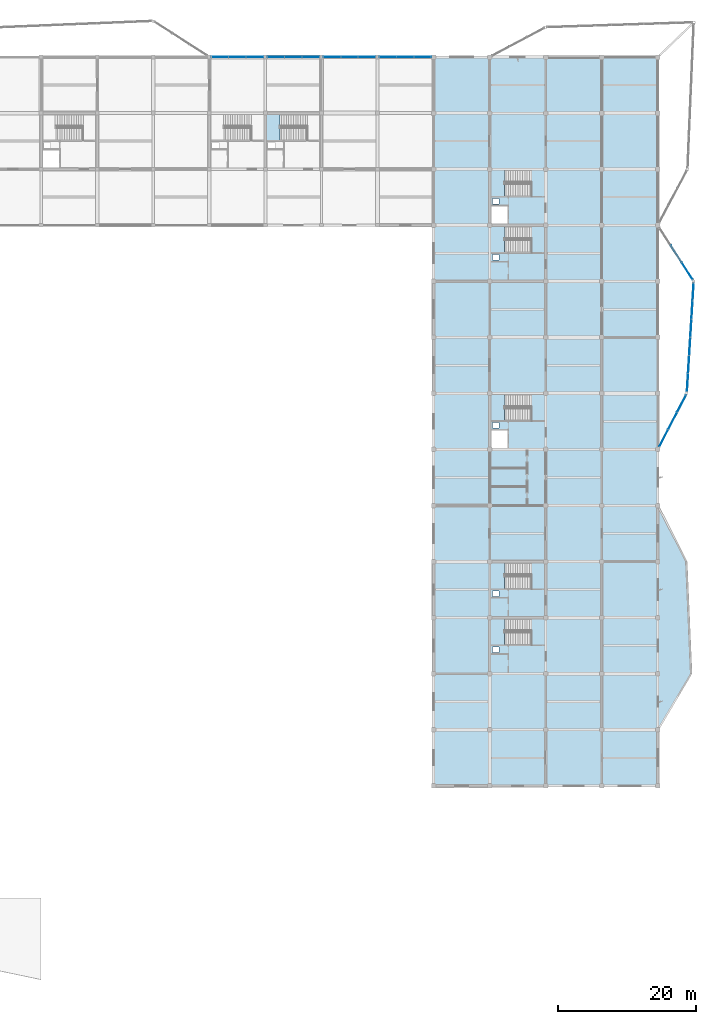
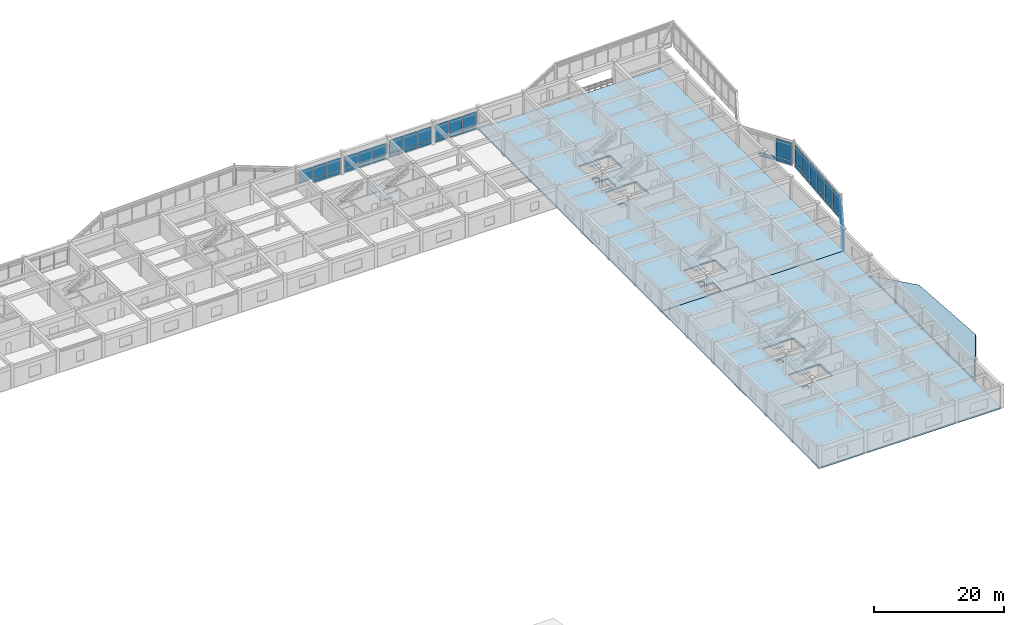
# One storey, part 24 of 42: 44 plates, 9 slabs, 14 elements without a shape of their own.
"""IFC4 building model written with IfcOpenShell, lengths in metres."""

from ifc_helpers import new_model, si_unit, direction, frame, origin, origin_2d, place, context, subcontext, project, spatial, polyline, rectangle, outline, extrude, material, layer, layer_set, type_object, element, aggregate, save


model = new_model("IFC4")

# Units and contexts
model_context = context("Model", 3, precision=1e-05, world=origin(), true_north=direction((0.0, 1.0)))
body_context = subcontext(model_context, "Body", "Model", "MODEL_VIEW")
ifc_project = project(units=[si_unit("LENGTHUNIT", "METRE"), si_unit("AREAUNIT", "SQUARE_METRE"), si_unit("VOLUMEUNIT", "CUBIC_METRE"), si_unit("PLANEANGLEUNIT", "RADIAN"), si_unit("MASSUNIT", "GRAM", prefix="KILO")], contexts=[model_context])

# Site, building, storey
site_placement = place(None, origin())
site = spatial("IfcSite", under=ifc_project, at=site_placement, CompositionType="ELEMENT")
building_placement = place(site_placement, origin())
building = spatial("IfcBuilding", under=site, at=building_placement, Name="Vaudrelin Polytechnic", CompositionType="ELEMENT")
storey_placement = place(building_placement, frame((0.0, 0.0, 18.530029296875)))
storey = spatial("IfcBuildingStorey", under=building, at=storey_placement, Name="L04", CompositionType="ELEMENT", Elevation=18.530029296875)

# Curtain wall, plates
ifc_material_1 = material(Name="Thermally broken anodised aluminium AA 6063-T6 and low-e triple glazing", Category="aluminium")
ifc_layer_1 = layer(ifc_material_1, 0.199951171875)
ifc_layer_set_1 = layer_set([ifc_layer_1], Name="Thermally broken anodised aluminium AA 6063-T6 and low-e triple glazing")
curtain_wall_type_1 = type_object("IfcCurtainWallType", Name="CW-CW-STU", PredefinedType="USERDEFINED", material=ifc_layer_set_1)
curtain_wall_1_placement = place(storey_placement, origin())
curtain_wall_1 = element("IfcCurtainWall", 1, at=curtain_wall_1_placement, inside=storey, type_object=curtain_wall_type_1, Name="Curtain wall L04 N_V5_13", ObjectType="CURTAIN WALL", PredefinedType="USERDEFINED")
ifc_material_2 = material(Name="Diffusing north-light studio glazing panel", Category="glass")
ifc_layer_2 = layer(ifc_material_2, 0.048095703125)
ifc_layer_set_2 = layer_set([ifc_layer_2], Name="Diffusing north-light studio glazing panel")
plate_type_1 = type_object("IfcPlateType", Name="PLT-GLZ-SAW", PredefinedType="CURTAIN_PANEL", material=ifc_layer_set_2)
plate_1_placement = place(storey_placement, frame((106.83203125, 121.5, 0.89990234375), z_axis=(0.0, 0.0, 1.0), x_axis=(1.0, 0.0, 0.0)))
plate_1 = element("IfcPlate", 2, at=plate_1_placement, type_object=plate_type_1, Name="N_V5_13 vision panel 1", PredefinedType="CURTAIN_PANEL", context=body_context, shape_type="SweptSolid", body=[
    extrude(rectangle(XDim=2.41796875, YDim=0.0439453125, at=origin_2d()), origin(), (0.0, 0.0, 1.0), 2.31201171875),
])
plate_2_placement = place(storey_placement, frame((109.35009765625, 121.5, 0.89990234375), z_axis=(0.0, 0.0, 1.0), x_axis=(1.0, 0.0, 0.0)))
plate_2 = element("IfcPlate", 3, at=plate_2_placement, type_object=plate_type_1, Name="N_V5_13 vision panel 2", PredefinedType="CURTAIN_PANEL", context=body_context, shape_type="SweptSolid", body=[
    extrude(rectangle(XDim=2.41796875, YDim=0.0439453125, at=origin_2d()), origin(), (0.0, 0.0, 1.0), 2.31201171875),
])
plate_3_placement = place(storey_placement, frame((111.867919921875, 121.5, 0.89990234375), z_axis=(0.0, 0.0, 1.0), x_axis=(1.0, 0.0, 0.0)))
plate_3 = element("IfcPlate", 4, at=plate_3_placement, type_object=plate_type_1, Name="N_V5_13 vision panel 3", PredefinedType="CURTAIN_PANEL", context=body_context, shape_type="SweptSolid", body=[
    extrude(rectangle(XDim=2.41796875, YDim=0.0439453125, at=origin_2d()), origin(), (0.0, 0.0, 1.0), 2.31201171875),
])

curtain_wall_2_placement = place(storey_placement, origin())
curtain_wall_2 = element("IfcCurtainWall", 5, at=curtain_wall_2_placement, inside=storey, type_object=curtain_wall_type_1, Name="Curtain wall L04 N_V5_14", ObjectType="CURTAIN WALL", PredefinedType="USERDEFINED")
plate_4_placement = place(storey_placement, frame((114.931884765625, 121.5, 0.89990234375), z_axis=(0.0, 0.0, 1.0), x_axis=(1.0, 0.0, 0.0)))
plate_4 = element("IfcPlate", 6, at=plate_4_placement, type_object=plate_type_1, Name="N_V5_14 vision panel 1", PredefinedType="CURTAIN_PANEL", context=body_context, shape_type="SweptSolid", body=[
    extrude(rectangle(XDim=2.41796875, YDim=0.0439453125, at=origin_2d()), origin(), (0.0, 0.0, 1.0), 2.2119140625),
])
plate_5_placement = place(storey_placement, frame((117.449951171875, 121.5, 0.89990234375), z_axis=(0.0, 0.0, 1.0), x_axis=(1.0, 0.0, 0.0)))
plate_5 = element("IfcPlate", 7, at=plate_5_placement, type_object=plate_type_1, Name="N_V5_14 vision panel 2", PredefinedType="CURTAIN_PANEL", context=body_context, shape_type="SweptSolid", body=[
    extrude(rectangle(XDim=2.41796875, YDim=0.0439453125, at=origin_2d()), origin(), (0.0, 0.0, 1.0), 2.2119140625),
])
plate_6_placement = place(storey_placement, frame((119.968017578125, 121.5, 0.89990234375), z_axis=(0.0, 0.0, 1.0), x_axis=(1.0, 0.0, 0.0)))
plate_6 = element("IfcPlate", 8, at=plate_6_placement, type_object=plate_type_1, Name="N_V5_14 vision panel 3", PredefinedType="CURTAIN_PANEL", context=body_context, shape_type="SweptSolid", body=[
    extrude(rectangle(XDim=2.41796875, YDim=0.0439453125, at=origin_2d()), origin(), (0.0, 0.0, 1.0), 2.2119140625),
])

curtain_wall_3_placement = place(storey_placement, origin())
curtain_wall_3 = element("IfcCurtainWall", 9, at=curtain_wall_3_placement, inside=storey, type_object=curtain_wall_type_1, Name="Curtain wall L04 N_V5_15", ObjectType="CURTAIN WALL", PredefinedType="USERDEFINED")
plate_7_placement = place(storey_placement, frame((123.031982421875, 121.5, 0.89990234375), z_axis=(0.0, 0.0, 1.0), x_axis=(1.0, 0.0, 0.0)))
plate_7 = element("IfcPlate", 10, at=plate_7_placement, type_object=plate_type_1, Name="N_V5_15 vision panel 1", PredefinedType="CURTAIN_PANEL", context=body_context, shape_type="SweptSolid", body=[
    extrude(rectangle(XDim=2.41796875, YDim=0.0439453125, at=origin_2d()), origin(), (0.0, 0.0, 1.0), 2.511962890625),
])
plate_8_placement = place(storey_placement, frame((125.550048828125, 121.5, 0.89990234375), z_axis=(0.0, 0.0, 1.0), x_axis=(1.0, 0.0, 0.0)))
plate_8 = element("IfcPlate", 11, at=plate_8_placement, type_object=plate_type_1, Name="N_V5_15 vision panel 2", PredefinedType="CURTAIN_PANEL", context=body_context, shape_type="SweptSolid", body=[
    extrude(rectangle(XDim=2.41796875, YDim=0.0439453125, at=origin_2d()), origin(), (0.0, 0.0, 1.0), 2.511962890625),
])
plate_9_placement = place(storey_placement, frame((128.068115234375, 121.5, 0.89990234375), z_axis=(0.0, 0.0, 1.0), x_axis=(1.0, 0.0, 0.0)))
plate_9 = element("IfcPlate", 12, at=plate_9_placement, type_object=plate_type_1, Name="N_V5_15 vision panel 3", PredefinedType="CURTAIN_PANEL", context=body_context, shape_type="SweptSolid", body=[
    extrude(rectangle(XDim=2.41796875, YDim=0.0439453125, at=origin_2d()), origin(), (0.0, 0.0, 1.0), 2.511962890625),
])

curtain_wall_4_placement = place(storey_placement, origin())
curtain_wall_4 = element("IfcCurtainWall", 13, at=curtain_wall_4_placement, inside=storey, type_object=curtain_wall_type_1, Name="Curtain wall L04 N_V5_16", ObjectType="CURTAIN WALL", PredefinedType="USERDEFINED")
plate_10_placement = place(storey_placement, frame((131.123779296875, 121.5, 0.89990234375), z_axis=(0.0, 0.0, 1.0), x_axis=(1.0, 0.0, 0.0)))
plate_10 = element("IfcPlate", 14, at=plate_10_placement, type_object=plate_type_1, Name="N_V5_16 vision panel 1", PredefinedType="CURTAIN_PANEL", context=body_context, shape_type="SweptSolid", body=[
    extrude(rectangle(XDim=2.4013671875, YDim=0.0439453125, at=origin_2d()), origin(), (0.0, 0.0, 1.0), 2.511962890625),
])
plate_11_placement = place(storey_placement, frame((133.625, 121.5, 0.89990234375), z_axis=(0.0, 0.0, 1.0), x_axis=(1.0, 0.0, 0.0)))
plate_11 = element("IfcPlate", 15, at=plate_11_placement, type_object=plate_type_1, Name="N_V5_16 vision panel 2", PredefinedType="CURTAIN_PANEL", context=body_context, shape_type="SweptSolid", body=[
    extrude(rectangle(XDim=2.4013671875, YDim=0.0439453125, at=origin_2d()), origin(), (0.0, 0.0, 1.0), 2.511962890625),
])
plate_12_placement = place(storey_placement, frame((136.126220703125, 121.5, 0.89990234375), z_axis=(0.0, 0.0, 1.0), x_axis=(1.0, 0.0, 0.0)))
plate_12 = element("IfcPlate", 16, at=plate_12_placement, type_object=plate_type_1, Name="N_V5_16 vision panel 3", PredefinedType="CURTAIN_PANEL", context=body_context, shape_type="SweptSolid", body=[
    extrude(rectangle(XDim=2.4013671875, YDim=0.0439453125, at=origin_2d()), origin(), (0.0, 0.0, 1.0), 2.511962890625),
])

# Plate
ifc_material_3 = material(Name="Insulated ceramic-frit spandrel glass panel", Category="glass")
ifc_layer_3 = layer(ifc_material_3, 0.052001953125)
ifc_layer_set_3 = layer_set([ifc_layer_3], Name="Insulated ceramic-frit spandrel glass panel")
plate_type_2 = type_object("IfcPlateType", Name="PLT-GLZ-SPAND", PredefinedType="CURTAIN_PANEL", material=ifc_layer_set_3)
plate_13_placement = place(storey_placement, frame((109.35009765625, 121.5, 0.08984375), z_axis=(0.0, 0.0, 1.0), x_axis=(1.0, 0.0, 0.0)))
plate_13 = element("IfcPlate", 17, at=plate_13_placement, type_object=plate_type_2, Name="N_V5_13 spandrel panel 2", PredefinedType="CURTAIN_PANEL", context=body_context, shape_type="SweptSolid", body=[
    extrude(rectangle(XDim=2.41796875, YDim=0.052001953125, at=origin_2d()), origin(), (0.0, 0.0, 1.0), 0.699951171875),
])

plate_14_placement = place(storey_placement, frame((111.867919921875, 121.5, 0.08984375), z_axis=(0.0, 0.0, 1.0), x_axis=(1.0, 0.0, 0.0)))
plate_14 = element("IfcPlate", 18, at=plate_14_placement, type_object=plate_type_2, Name="N_V5_13 spandrel panel 3", PredefinedType="CURTAIN_PANEL", context=body_context, shape_type="SweptSolid", body=[
    extrude(rectangle(XDim=2.41796875, YDim=0.052001953125, at=origin_2d()), origin(), (0.0, 0.0, 1.0), 0.699951171875),
])

aggregate(curtain_wall_1, [plate_1, plate_13, plate_2, plate_14, plate_3])

plate_15_placement = place(storey_placement, frame((114.931884765625, 121.5, 0.08984375), z_axis=(0.0, 0.0, 1.0), x_axis=(1.0, 0.0, 0.0)))
plate_15 = element("IfcPlate", 19, at=plate_15_placement, type_object=plate_type_2, Name="N_V5_14 spandrel panel 1", PredefinedType="CURTAIN_PANEL", context=body_context, shape_type="SweptSolid", body=[
    extrude(rectangle(XDim=2.41796875, YDim=0.052001953125, at=origin_2d()), origin(), (0.0, 0.0, 1.0), 0.699951171875),
])

plate_16_placement = place(storey_placement, frame((117.449951171875, 121.5, 0.08984375), z_axis=(0.0, 0.0, 1.0), x_axis=(1.0, 0.0, 0.0)))
plate_16 = element("IfcPlate", 20, at=plate_16_placement, type_object=plate_type_2, Name="N_V5_14 spandrel panel 2", PredefinedType="CURTAIN_PANEL", context=body_context, shape_type="SweptSolid", body=[
    extrude(rectangle(XDim=2.41796875, YDim=0.052001953125, at=origin_2d()), origin(), (0.0, 0.0, 1.0), 0.699951171875),
])

plate_17_placement = place(storey_placement, frame((119.968017578125, 121.5, 0.08984375), z_axis=(0.0, 0.0, 1.0), x_axis=(1.0, 0.0, 0.0)))
plate_17 = element("IfcPlate", 21, at=plate_17_placement, type_object=plate_type_2, Name="N_V5_14 spandrel panel 3", PredefinedType="CURTAIN_PANEL", context=body_context, shape_type="SweptSolid", body=[
    extrude(rectangle(XDim=2.41796875, YDim=0.052001953125, at=origin_2d()), origin(), (0.0, 0.0, 1.0), 0.699951171875),
])

aggregate(curtain_wall_2, [plate_15, plate_4, plate_16, plate_5, plate_17, plate_6])

plate_18_placement = place(storey_placement, frame((123.031982421875, 121.5, 0.08984375), z_axis=(0.0, 0.0, 1.0), x_axis=(1.0, 0.0, 0.0)))
plate_18 = element("IfcPlate", 22, at=plate_18_placement, type_object=plate_type_2, Name="N_V5_15 spandrel panel 1", PredefinedType="CURTAIN_PANEL", context=body_context, shape_type="SweptSolid", body=[
    extrude(rectangle(XDim=2.41796875, YDim=0.052001953125, at=origin_2d()), origin(), (0.0, 0.0, 1.0), 0.699951171875),
])

plate_19_placement = place(storey_placement, frame((125.550048828125, 121.5, 0.08984375), z_axis=(0.0, 0.0, 1.0), x_axis=(1.0, 0.0, 0.0)))
plate_19 = element("IfcPlate", 23, at=plate_19_placement, type_object=plate_type_2, Name="N_V5_15 spandrel panel 2", PredefinedType="CURTAIN_PANEL", context=body_context, shape_type="SweptSolid", body=[
    extrude(rectangle(XDim=2.41796875, YDim=0.052001953125, at=origin_2d()), origin(), (0.0, 0.0, 1.0), 0.699951171875),
])

plate_20_placement = place(storey_placement, frame((128.068115234375, 121.5, 0.08984375), z_axis=(0.0, 0.0, 1.0), x_axis=(1.0, 0.0, 0.0)))
plate_20 = element("IfcPlate", 24, at=plate_20_placement, type_object=plate_type_2, Name="N_V5_15 spandrel panel 3", PredefinedType="CURTAIN_PANEL", context=body_context, shape_type="SweptSolid", body=[
    extrude(rectangle(XDim=2.41796875, YDim=0.052001953125, at=origin_2d()), origin(), (0.0, 0.0, 1.0), 0.699951171875),
])

aggregate(curtain_wall_3, [plate_18, plate_7, plate_19, plate_8, plate_20, plate_9])

plate_21_placement = place(storey_placement, frame((131.123779296875, 121.5, 0.08984375), z_axis=(0.0, 0.0, 1.0), x_axis=(1.0, 0.0, 0.0)))
plate_21 = element("IfcPlate", 25, at=plate_21_placement, type_object=plate_type_2, Name="N_V5_16 spandrel panel 1", PredefinedType="CURTAIN_PANEL", context=body_context, shape_type="SweptSolid", body=[
    extrude(rectangle(XDim=2.4013671875, YDim=0.052001953125, at=origin_2d()), origin(), (0.0, 0.0, 1.0), 0.699951171875),
])

plate_22_placement = place(storey_placement, frame((133.625, 121.5, 0.08984375), z_axis=(0.0, 0.0, 1.0), x_axis=(1.0, 0.0, 0.0)))
plate_22 = element("IfcPlate", 26, at=plate_22_placement, type_object=plate_type_2, Name="N_V5_16 spandrel panel 2", PredefinedType="CURTAIN_PANEL", context=body_context, shape_type="SweptSolid", body=[
    extrude(rectangle(XDim=2.4013671875, YDim=0.052001953125, at=origin_2d()), origin(), (0.0, 0.0, 1.0), 0.699951171875),
])

plate_23_placement = place(storey_placement, frame((136.126220703125, 121.5, 0.08984375), z_axis=(0.0, 0.0, 1.0), x_axis=(1.0, 0.0, 0.0)))
plate_23 = element("IfcPlate", 27, at=plate_23_placement, type_object=plate_type_2, Name="N_V5_16 spandrel panel 3", PredefinedType="CURTAIN_PANEL", context=body_context, shape_type="SweptSolid", body=[
    extrude(rectangle(XDim=2.4013671875, YDim=0.052001953125, at=origin_2d()), origin(), (0.0, 0.0, 1.0), 0.699951171875),
])

aggregate(curtain_wall_4, [plate_21, plate_10, plate_22, plate_11, plate_23, plate_12])

# Curtain wall, plates
ifc_layer_4 = layer(ifc_material_1, 0.199951171875)
ifc_layer_set_4 = layer_set([ifc_layer_4], Name="Thermally broken anodised aluminium AA 6063-T6 and low-e triple glazing")
curtain_wall_type_2 = type_object("IfcCurtainWallType", Name="CW-CW-LAB", PredefinedType="USERDEFINED", material=ifc_layer_set_4)
curtain_wall_5_placement = place(storey_placement, origin())
curtain_wall_5 = element("IfcCurtainWall", 28, at=curtain_wall_5_placement, inside=storey, type_object=curtain_wall_type_2, Name="Curtain wall L04 E_OR2_1_0", ObjectType="CURTAIN WALL", PredefinedType="USERDEFINED")
plate_24_placement = place(storey_placement, frame((170.953369140625, 66.44580078125, -0.5400390625), z_axis=(0.0, 0.0, 1.0), x_axis=(0.460325488129, 0.88775021542, 0.0)))
plate_24 = element("IfcPlate", 29, at=plate_24_placement, type_object=plate_type_2, Name="E_OR2_1_0 spandrel panel 1", PredefinedType="CURTAIN_PANEL", context=body_context, shape_type="SweptSolid", body=[
    extrude(rectangle(XDim=2.705322265625, YDim=0.052001953125, at=origin_2d()), origin(), (0.0, 0.0, 1.0), 0.699951171875),
])
plate_25_placement = place(storey_placement, frame((172.24462890625, 68.936279296875, -0.5400390625), z_axis=(0.0, 0.0, 1.0), x_axis=(0.460325488129, 0.88775021542, 0.0)))
plate_25 = element("IfcPlate", 30, at=plate_25_placement, type_object=plate_type_2, Name="E_OR2_1_0 spandrel panel 2", PredefinedType="CURTAIN_PANEL", context=body_context, shape_type="SweptSolid", body=[
    extrude(rectangle(XDim=2.705322265625, YDim=0.052001953125, at=origin_2d()), origin(), (0.0, 0.0, 1.0), 0.699951171875),
])
plate_26_placement = place(storey_placement, frame((173.5361328125, 71.4267578125, -0.5400390625), z_axis=(0.0, 0.0, 1.0), x_axis=(0.460325488129, 0.88775021542, 0.0)))
plate_26 = element("IfcPlate", 31, at=plate_26_placement, type_object=plate_type_2, Name="E_OR2_1_0 spandrel panel 3", PredefinedType="CURTAIN_PANEL", context=body_context, shape_type="SweptSolid", body=[
    extrude(rectangle(XDim=2.705322265625, YDim=0.052001953125, at=origin_2d()), origin(), (0.0, 0.0, 1.0), 0.699951171875),
])

curtain_wall_6_placement = place(storey_placement, origin())
curtain_wall_6 = element("IfcCurtainWall", 32, at=curtain_wall_6_placement, inside=storey, type_object=curtain_wall_type_2, Name="Curtain wall L04 E_OR2_2_0", ObjectType="CURTAIN WALL", PredefinedType="USERDEFINED")
plate_27_placement = place(storey_placement, frame((174.3955078125, 74.44775390625, -0.5400390625), z_axis=(0.0, 0.0, 1.0), x_axis=(0.061604568165, 0.998100634797, 0.0)))
plate_27 = element("IfcPlate", 33, at=plate_27_placement, type_object=plate_type_2, Name="E_OR2_2_0 spandrel panel 1", PredefinedType="CURTAIN_PANEL", context=body_context, shape_type="SweptSolid", body=[
    extrude(rectangle(XDim=2.52587890625, YDim=0.052001953125, at=origin_2d()), origin(), (0.0, 0.0, 1.0), 0.699951171875),
])
plate_28_placement = place(storey_placement, frame((174.557373046875, 77.068603515625, -0.5400390625), z_axis=(0.0, 0.0, 1.0), x_axis=(0.061604568165, 0.998100634797, 0.0)))
plate_28 = element("IfcPlate", 34, at=plate_28_placement, type_object=plate_type_2, Name="E_OR2_2_0 spandrel panel 2", PredefinedType="CURTAIN_PANEL", context=body_context, shape_type="SweptSolid", body=[
    extrude(rectangle(XDim=2.52587890625, YDim=0.052001953125, at=origin_2d()), origin(), (0.0, 0.0, 1.0), 0.699951171875),
])
plate_29_placement = place(storey_placement, frame((174.718994140625, 79.689453125, -0.5400390625), z_axis=(0.0, 0.0, 1.0), x_axis=(0.061604568165, 0.998100634797, 0.0)))
plate_29 = element("IfcPlate", 35, at=plate_29_placement, type_object=plate_type_2, Name="E_OR2_2_0 spandrel panel 3", PredefinedType="CURTAIN_PANEL", context=body_context, shape_type="SweptSolid", body=[
    extrude(rectangle(XDim=2.52587890625, YDim=0.052001953125, at=origin_2d()), origin(), (0.0, 0.0, 1.0), 0.699951171875),
])

curtain_wall_7_placement = place(storey_placement, origin())
curtain_wall_7 = element("IfcCurtainWall", 36, at=curtain_wall_7_placement, inside=storey, type_object=curtain_wall_type_2, Name="Curtain wall L04 E_OR2_2_1", ObjectType="CURTAIN WALL", PredefinedType="USERDEFINED")
plate_30_placement = place(storey_placement, frame((174.880859375, 82.310546875, -0.5400390625), z_axis=(0.0, 0.0, 1.0), x_axis=(0.061604568165, 0.998100634797, 0.0)))
plate_30 = element("IfcPlate", 37, at=plate_30_placement, type_object=plate_type_2, Name="E_OR2_2_1 spandrel panel 1", PredefinedType="CURTAIN_PANEL", context=body_context, shape_type="SweptSolid", body=[
    extrude(rectangle(XDim=2.52587890625, YDim=0.052001953125, at=origin_2d()), origin(), (0.0, 0.0, 1.0), 0.699951171875),
])
plate_31_placement = place(storey_placement, frame((175.042724609375, 84.931396484375, -0.5400390625), z_axis=(0.0, 0.0, 1.0), x_axis=(0.061604568165, 0.998100634797, 0.0)))
plate_31 = element("IfcPlate", 38, at=plate_31_placement, type_object=plate_type_2, Name="E_OR2_2_1 spandrel panel 2", PredefinedType="CURTAIN_PANEL", context=body_context, shape_type="SweptSolid", body=[
    extrude(rectangle(XDim=2.52587890625, YDim=0.052001953125, at=origin_2d()), origin(), (0.0, 0.0, 1.0), 0.699951171875),
])
plate_32_placement = place(storey_placement, frame((175.204345703125, 87.55224609375, -0.5400390625), z_axis=(0.0, 0.0, 1.0), x_axis=(0.061604568165, 0.998100634797, 0.0)))
plate_32 = element("IfcPlate", 39, at=plate_32_placement, type_object=plate_type_2, Name="E_OR2_2_1 spandrel panel 3", PredefinedType="CURTAIN_PANEL", context=body_context, shape_type="SweptSolid", body=[
    extrude(rectangle(XDim=2.52587890625, YDim=0.052001953125, at=origin_2d()), origin(), (0.0, 0.0, 1.0), 0.699951171875),
])

curtain_wall_8_placement = place(storey_placement, origin())
curtain_wall_8 = element("IfcCurtainWall", 40, at=curtain_wall_8_placement, inside=storey, type_object=curtain_wall_type_2, Name="Curtain wall L04 E_OR2_3_0", ObjectType="CURTAIN WALL", PredefinedType="USERDEFINED")
plate_33_placement = place(storey_placement, frame((174.35595703125, 90.570556640625, -0.5400390625), z_axis=(0.0, 0.0, 1.0), x_axis=(-0.540228077901, 0.841518641414, 0.0)))
plate_33 = element("IfcPlate", 41, at=plate_33_placement, type_object=plate_type_2, Name="E_OR2_3_0 spandrel panel 1", PredefinedType="CURTAIN_PANEL", context=body_context, shape_type="SweptSolid", body=[
    extrude(rectangle(XDim=2.86279296875, YDim=0.052001953125, at=origin_2d()), origin(), (0.0, 0.0, 1.0), 0.699951171875),
])
plate_34_placement = place(storey_placement, frame((172.75537109375, 93.063720703125, -0.5400390625), z_axis=(0.0, 0.0, 1.0), x_axis=(-0.540228077901, 0.841518641414, 0.0)))
plate_34 = element("IfcPlate", 42, at=plate_34_placement, type_object=plate_type_2, Name="E_OR2_3_0 spandrel panel 2", PredefinedType="CURTAIN_PANEL", context=body_context, shape_type="SweptSolid", body=[
    extrude(rectangle(XDim=2.86279296875, YDim=0.052001953125, at=origin_2d()), origin(), (0.0, 0.0, 1.0), 0.699951171875),
])

# Plate
ifc_material_4 = material(Name="Triple low-e argon insulated glazing unit", Category="glass")
ifc_layer_5 = layer(ifc_material_4, 0.0439453125)
ifc_layer_set_5 = layer_set([ifc_layer_5], Name="Triple low-e argon insulated glazing unit")
plate_type_3 = type_object("IfcPlateType", Name="PLT-GLZ-TRIPLE", PredefinedType="CURTAIN_PANEL", material=ifc_layer_set_5)
plate_35_placement = place(storey_placement, frame((170.953369140625, 66.44580078125, 0.27001953125), z_axis=(0.0, 0.0, 1.0), x_axis=(0.460325488129, 0.88775021542, 0.0)))
plate_35 = element("IfcPlate", 43, at=plate_35_placement, type_object=plate_type_3, Name="E_OR2_1_0 vision panel 1", PredefinedType="CURTAIN_PANEL", context=body_context, shape_type="SweptSolid", body=[
    extrude(rectangle(XDim=2.705322265625, YDim=0.0439453125, at=origin_2d()), origin(), (0.0, 0.0, 1.0), 3.43994140625),
])

plate_36_placement = place(storey_placement, frame((172.24462890625, 68.936279296875, 0.27001953125), z_axis=(0.0, 0.0, 1.0), x_axis=(0.460325488129, 0.88775021542, 0.0)))
plate_36 = element("IfcPlate", 44, at=plate_36_placement, type_object=plate_type_3, Name="E_OR2_1_0 vision panel 2", PredefinedType="CURTAIN_PANEL", context=body_context, shape_type="SweptSolid", body=[
    extrude(rectangle(XDim=2.705322265625, YDim=0.0439453125, at=origin_2d()), origin(), (0.0, 0.0, 1.0), 3.43994140625),
])

plate_37_placement = place(storey_placement, frame((173.5361328125, 71.4267578125, 0.27001953125), z_axis=(0.0, 0.0, 1.0), x_axis=(0.460325488129, 0.88775021542, 0.0)))
plate_37 = element("IfcPlate", 45, at=plate_37_placement, type_object=plate_type_3, Name="E_OR2_1_0 vision panel 3", PredefinedType="CURTAIN_PANEL", context=body_context, shape_type="SweptSolid", body=[
    extrude(rectangle(XDim=2.705322265625, YDim=0.0439453125, at=origin_2d()), origin(), (0.0, 0.0, 1.0), 3.43994140625),
])

aggregate(curtain_wall_5, [plate_24, plate_35, plate_25, plate_36, plate_26, plate_37])

plate_38_placement = place(storey_placement, frame((174.3955078125, 74.44775390625, 0.27001953125), z_axis=(0.0, 0.0, 1.0), x_axis=(0.061604568165, 0.998100634797, 0.0)))
plate_38 = element("IfcPlate", 46, at=plate_38_placement, type_object=plate_type_3, Name="E_OR2_2_0 vision panel 1", PredefinedType="CURTAIN_PANEL", context=body_context, shape_type="SweptSolid", body=[
    extrude(rectangle(XDim=2.52587890625, YDim=0.0439453125, at=origin_2d()), origin(), (0.0, 0.0, 1.0), 3.43994140625),
])

plate_39_placement = place(storey_placement, frame((174.557373046875, 77.068603515625, 0.27001953125), z_axis=(0.0, 0.0, 1.0), x_axis=(0.061604568165, 0.998100634797, 0.0)))
plate_39 = element("IfcPlate", 47, at=plate_39_placement, type_object=plate_type_3, Name="E_OR2_2_0 vision panel 2", PredefinedType="CURTAIN_PANEL", context=body_context, shape_type="SweptSolid", body=[
    extrude(rectangle(XDim=2.52587890625, YDim=0.0439453125, at=origin_2d()), origin(), (0.0, 0.0, 1.0), 3.43994140625),
])

plate_40_placement = place(storey_placement, frame((174.718994140625, 79.689453125, 0.27001953125), z_axis=(0.0, 0.0, 1.0), x_axis=(0.061604568165, 0.998100634797, 0.0)))
plate_40 = element("IfcPlate", 48, at=plate_40_placement, type_object=plate_type_3, Name="E_OR2_2_0 vision panel 3", PredefinedType="CURTAIN_PANEL", context=body_context, shape_type="SweptSolid", body=[
    extrude(rectangle(XDim=2.52587890625, YDim=0.0439453125, at=origin_2d()), origin(), (0.0, 0.0, 1.0), 3.43994140625),
])

aggregate(curtain_wall_6, [plate_27, plate_38, plate_28, plate_39, plate_29, plate_40])

plate_41_placement = place(storey_placement, frame((174.880859375, 82.310546875, 0.27001953125), z_axis=(0.0, 0.0, 1.0), x_axis=(0.061604568165, 0.998100634797, 0.0)))
plate_41 = element("IfcPlate", 49, at=plate_41_placement, type_object=plate_type_3, Name="E_OR2_2_1 vision panel 1", PredefinedType="CURTAIN_PANEL", context=body_context, shape_type="SweptSolid", body=[
    extrude(rectangle(XDim=2.52587890625, YDim=0.0439453125, at=origin_2d()), origin(), (0.0, 0.0, 1.0), 3.43994140625),
])

plate_42_placement = place(storey_placement, frame((175.042724609375, 84.931396484375, 0.27001953125), z_axis=(0.0, 0.0, 1.0), x_axis=(0.061604568165, 0.998100634797, 0.0)))
plate_42 = element("IfcPlate", 50, at=plate_42_placement, type_object=plate_type_3, Name="E_OR2_2_1 vision panel 2", PredefinedType="CURTAIN_PANEL", context=body_context, shape_type="SweptSolid", body=[
    extrude(rectangle(XDim=2.52587890625, YDim=0.0439453125, at=origin_2d()), origin(), (0.0, 0.0, 1.0), 3.43994140625),
])

plate_43_placement = place(storey_placement, frame((175.204345703125, 87.55224609375, 0.27001953125), z_axis=(0.0, 0.0, 1.0), x_axis=(0.061604568165, 0.998100634797, 0.0)))
plate_43 = element("IfcPlate", 51, at=plate_43_placement, type_object=plate_type_3, Name="E_OR2_2_1 vision panel 3", PredefinedType="CURTAIN_PANEL", context=body_context, shape_type="SweptSolid", body=[
    extrude(rectangle(XDim=2.52587890625, YDim=0.0439453125, at=origin_2d()), origin(), (0.0, 0.0, 1.0), 3.43994140625),
])

aggregate(curtain_wall_7, [plate_30, plate_41, plate_31, plate_42, plate_32, plate_43])

plate_44_placement = place(storey_placement, frame((174.35595703125, 90.570556640625, 0.27001953125), z_axis=(0.0, 0.0, 1.0), x_axis=(-0.540228077901, 0.841518641414, 0.0)))
plate_44 = element("IfcPlate", 52, at=plate_44_placement, type_object=plate_type_3, Name="E_OR2_3_0 vision panel 1", PredefinedType="CURTAIN_PANEL", context=body_context, shape_type="SweptSolid", body=[
    extrude(rectangle(XDim=2.86279296875, YDim=0.0439453125, at=origin_2d()), origin(), (0.0, 0.0, 1.0), 3.43994140625),
])

aggregate(curtain_wall_8, [plate_33, plate_44, plate_34])

# Stair, slab
ifc_material_5 = material(Name="Concrete 35 MPa", Category="concrete")
stair_type = type_object("IfcStairType", Name="STR-ST-CORE", PredefinedType="TWO_STRAIGHT_RUN_STAIR", material=ifc_material_5)
stair_1_placement = place(storey_placement, origin())
stair_1 = element("IfcStair", 53, at=stair_1_placement, inside=storey, type_object=stair_type, Name="Exit stair ST-06-L04", PredefinedType="TWO_STRAIGHT_RUN_STAIR")
ifc_layer_6 = layer(ifc_material_5, 0.219970703125)
ifc_layer_set_6 = layer_set([ifc_layer_6], Name="Concrete 35 MPa")
slab_type_1 = type_object("IfcSlabType", Name="SLB-LND220", PredefinedType="LANDING", material=ifc_layer_set_6)
slab_1_placement = place(storey_placement, frame((0.0, 0.0, 1.989990234375)))
slab_1 = element("IfcSlab", 54, at=slab_1_placement, type_object=slab_type_1, Name="ST-06-L04 landing 1", PredefinedType="LANDING", context=body_context, shape_type="SweptSolid", body=[
    extrude(outline(polyline([(145.93994140625, 101.360107421875), (147.909912109375, 101.360107421875), (147.909912109375, 105.199951171875), (145.93994140625, 105.199951171875), (145.93994140625, 101.360107421875)])), origin(), (0.0, 0.0, 1.0), 0.219970703125),
])
aggregate(stair_1, [slab_1])

stair_2_placement = place(storey_placement, origin())
stair_2 = element("IfcStair", 55, at=stair_2_placement, inside=storey, type_object=stair_type, Name="Exit stair ST-07-L04", PredefinedType="TWO_STRAIGHT_RUN_STAIR")
slab_2_placement = place(storey_placement, frame((0.0, 0.0, 1.989990234375)))
slab_2 = element("IfcSlab", 56, at=slab_2_placement, type_object=slab_type_1, Name="ST-07-L04 landing 1", PredefinedType="LANDING", context=body_context, shape_type="SweptSolid", body=[
    extrude(outline(polyline([(145.93994140625, 68.9599609375), (147.909912109375, 68.9599609375), (147.909912109375, 72.800048828125), (145.93994140625, 72.800048828125), (145.93994140625, 68.9599609375)])), origin(), (0.0, 0.0, 1.0), 0.219970703125),
])
aggregate(stair_2, [slab_2])

stair_3_placement = place(storey_placement, origin())
stair_3 = element("IfcStair", 57, at=stair_3_placement, inside=storey, type_object=stair_type, Name="Exit stair ST-08-L04", PredefinedType="TWO_STRAIGHT_RUN_STAIR")
slab_3_placement = place(storey_placement, frame((0.0, 0.0, 1.989990234375)))
slab_3 = element("IfcSlab", 58, at=slab_3_placement, type_object=slab_type_1, Name="ST-08-L04 landing 1", PredefinedType="LANDING", context=body_context, shape_type="SweptSolid", body=[
    extrude(outline(polyline([(145.93994140625, 36.56005859375), (147.909912109375, 36.56005859375), (147.909912109375, 40.39990234375), (145.93994140625, 40.39990234375), (145.93994140625, 36.56005859375)])), origin(), (0.0, 0.0, 1.0), 0.219970703125),
])
aggregate(stair_3, [slab_3])

stair_4_placement = place(storey_placement, origin())
stair_4 = element("IfcStair", 59, at=stair_4_placement, inside=storey, type_object=stair_type, Name="Exit stair ST-10-L04", PredefinedType="TWO_STRAIGHT_RUN_STAIR")
slab_4_placement = place(storey_placement, frame((0.0, 0.0, 1.989990234375)))
slab_4 = element("IfcSlab", 60, at=slab_4_placement, type_object=slab_type_1, Name="ST-10-L04 landing 1", PredefinedType="LANDING", context=body_context, shape_type="SweptSolid", body=[
    extrude(outline(polyline([(113.5400390625, 109.4599609375), (115.510009765625, 109.4599609375), (115.510009765625, 113.300048828125), (113.5400390625, 113.300048828125), (113.5400390625, 109.4599609375)])), origin(), (0.0, 0.0, 1.0), 0.219970703125),
])
aggregate(stair_4, [slab_4])

stair_5_placement = place(storey_placement, origin())
stair_5 = element("IfcStair", 61, at=stair_5_placement, inside=storey, type_object=stair_type, Name="Exit stair ST-12-L04", PredefinedType="TWO_STRAIGHT_RUN_STAIR")
slab_5_placement = place(storey_placement, frame((0.0, 0.0, 1.989990234375)))
slab_5 = element("IfcSlab", 62, at=slab_5_placement, type_object=slab_type_1, Name="ST-12-L04 landing 1", PredefinedType="LANDING", context=body_context, shape_type="SweptSolid", body=[
    extrude(outline(polyline([(145.93994140625, 44.659912109375), (147.909912109375, 44.659912109375), (147.909912109375, 48.5), (145.93994140625, 48.5), (145.93994140625, 44.659912109375)])), origin(), (0.0, 0.0, 1.0), 0.219970703125),
])
aggregate(stair_5, [slab_5])

stair_6_placement = place(storey_placement, origin())
stair_6 = element("IfcStair", 63, at=stair_6_placement, inside=storey, type_object=stair_type, Name="Exit stair ST-13-L04", PredefinedType="TWO_STRAIGHT_RUN_STAIR")
slab_6_placement = place(storey_placement, frame((0.0, 0.0, 1.989990234375)))
slab_6 = element("IfcSlab", 64, at=slab_6_placement, type_object=slab_type_1, Name="ST-13-L04 landing 1", PredefinedType="LANDING", context=body_context, shape_type="SweptSolid", body=[
    extrude(outline(polyline([(145.93994140625, 93.260009765625), (147.909912109375, 93.260009765625), (147.909912109375, 97.10009765625), (145.93994140625, 97.10009765625), (145.93994140625, 93.260009765625)])), origin(), (0.0, 0.0, 1.0), 0.219970703125),
])
aggregate(stair_6, [slab_6])

# Slabs
ifc_layer_7 = layer(ifc_material_5, 0.260009765625)
ifc_layer_set_7 = layer_set([ifc_layer_7], Name="Concrete 35 MPa")
slab_type_2 = type_object("IfcSlabType", Name="SLB-SL-F260", PredefinedType="FLOOR", material=ifc_layer_set_7)
slab_7_placement = place(storey_placement, frame((0.0, 0.0, -0.260009765625)))
element("IfcSlab", 65, at=slab_7_placement, inside=storey, type_object=slab_type_2, Name="L04 floor slab V4-S", PredefinedType="FLOOR", context=body_context, shape_type="SweptSolid", body=[
    extrude(outline(polyline([(137.699951171875, 16.199951171875), (170.10009765625, 16.199951171875), (170.10009765625, 64.800048828125), (137.699951171875, 64.800048828125), (137.699951171875, 16.199951171875)]), holes=[polyline([(146.050048828125, 36.610107421875), (151.800048828125, 36.610107421875), (151.800048828125, 40.25), (146.050048828125, 40.25), (146.050048828125, 36.610107421875)]), polyline([(146.179931640625, 35.47998046875), (147.179931640625, 35.47998046875), (147.179931640625, 36.280029296875), (146.179931640625, 36.280029296875), (146.179931640625, 35.47998046875)]), polyline([(146.050048828125, 44.7099609375), (151.800048828125, 44.7099609375), (151.800048828125, 48.35009765625), (146.050048828125, 48.35009765625), (146.050048828125, 44.7099609375)]), polyline([(146.179931640625, 43.580078125), (147.179931640625, 43.580078125), (147.179931640625, 44.3798828125), (146.179931640625, 44.3798828125), (146.179931640625, 43.580078125)])]), origin(), (0.0, 0.0, 1.0), 0.260009765625),
])
slab_8_placement = place(storey_placement, frame((0.0, 0.0, -0.260009765625)))
element("IfcSlab", 66, at=slab_8_placement, inside=storey, type_object=slab_type_2, Name="L04 floor slab V4-N", PredefinedType="FLOOR", context=body_context, shape_type="SweptSolid", body=[
    extrude(outline(polyline([(137.699951171875, 64.800048828125), (170.10009765625, 64.800048828125), (170.10009765625, 121.5), (137.699951171875, 121.5), (137.699951171875, 64.800048828125)]), holes=[polyline([(146.050048828125, 101.409912109375), (151.800048828125, 101.409912109375), (151.800048828125, 105.050048828125), (146.050048828125, 105.050048828125), (146.050048828125, 101.409912109375)]), polyline([(146.050048828125, 97.449951171875), (148.3798828125, 97.449951171875), (148.3798828125, 99.929931640625), (146.050048828125, 99.929931640625), (146.050048828125, 97.449951171875)]), polyline([(146.179931640625, 100.280029296875), (147.179931640625, 100.280029296875), (147.179931640625, 101.080078125), (146.179931640625, 101.080078125), (146.179931640625, 100.280029296875)]), polyline([(146.050048828125, 69.010009765625), (151.800048828125, 69.010009765625), (151.800048828125, 72.64990234375), (146.050048828125, 72.64990234375), (146.050048828125, 69.010009765625)]), polyline([(146.050048828125, 65.050048828125), (148.3798828125, 65.050048828125), (148.3798828125, 67.530029296875), (146.050048828125, 67.530029296875), (146.050048828125, 65.050048828125)]), polyline([(146.179931640625, 67.8798828125), (147.179931640625, 67.8798828125), (147.179931640625, 68.679931640625), (146.179931640625, 68.679931640625), (146.179931640625, 67.8798828125)]), polyline([(146.050048828125, 93.31005859375), (151.800048828125, 93.31005859375), (151.800048828125, 96.949951171875), (146.050048828125, 96.949951171875), (146.050048828125, 93.31005859375)]), polyline([(146.179931640625, 92.179931640625), (147.179931640625, 92.179931640625), (147.179931640625, 92.97998046875), (146.179931640625, 92.97998046875), (146.179931640625, 92.179931640625)])]), origin(), (0.0, 0.0, 1.0), 0.260009765625),
])
ifc_layer_8 = layer(ifc_material_5, 0.2451171875)
ifc_layer_set_8 = layer_set([ifc_layer_8], Name="Concrete 35 MPa")
slab_type_3 = type_object("IfcSlabType", Name="SLB-SL-RF245", PredefinedType="ROOF", material=ifc_layer_set_8)
slab_9_placement = place(storey_placement, frame((170.10009765625, 24.300048828125, 0.260009765625), z_axis=(-0.384620778713, 1.84092e-06, 0.923074675516), x_axis=(0.498669591227, 0.841519936599, 0.207780738021)))
element("IfcSlab", 67, at=slab_9_placement, inside=storey, type_object=slab_type_3, Name="Deconstructivist raked pod roof E_OR1", PredefinedType="ROOF", context=body_context, shape_type="SweptSolid", body=[
    extrude(outline(polyline([(0.0, 0.0), (9.625266334453922, -3.3306690738754696e-16), (22.848389677461814, 9.389908720592219), (27.26516376611634, 17.503271599556346), (0.0, 0.0)])), origin(), (0.0, 0.0, -1.0), 0.2451171875),
])

save(model, "model.ifc")
